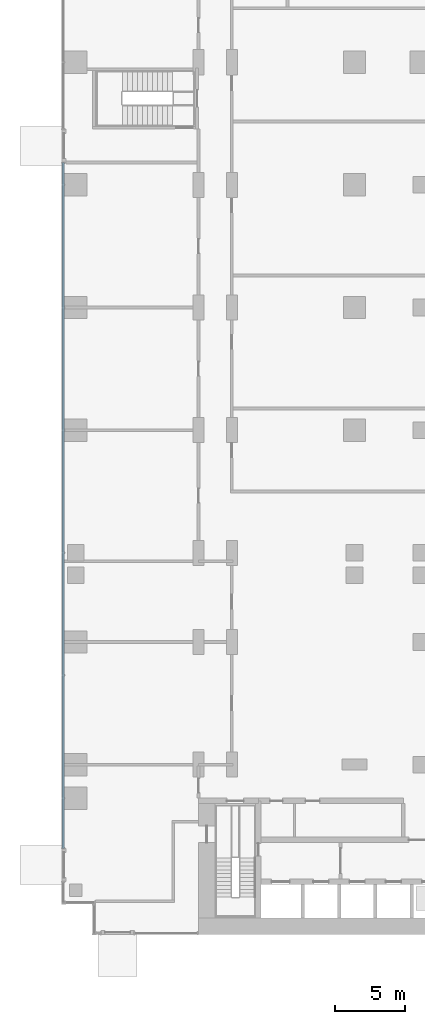
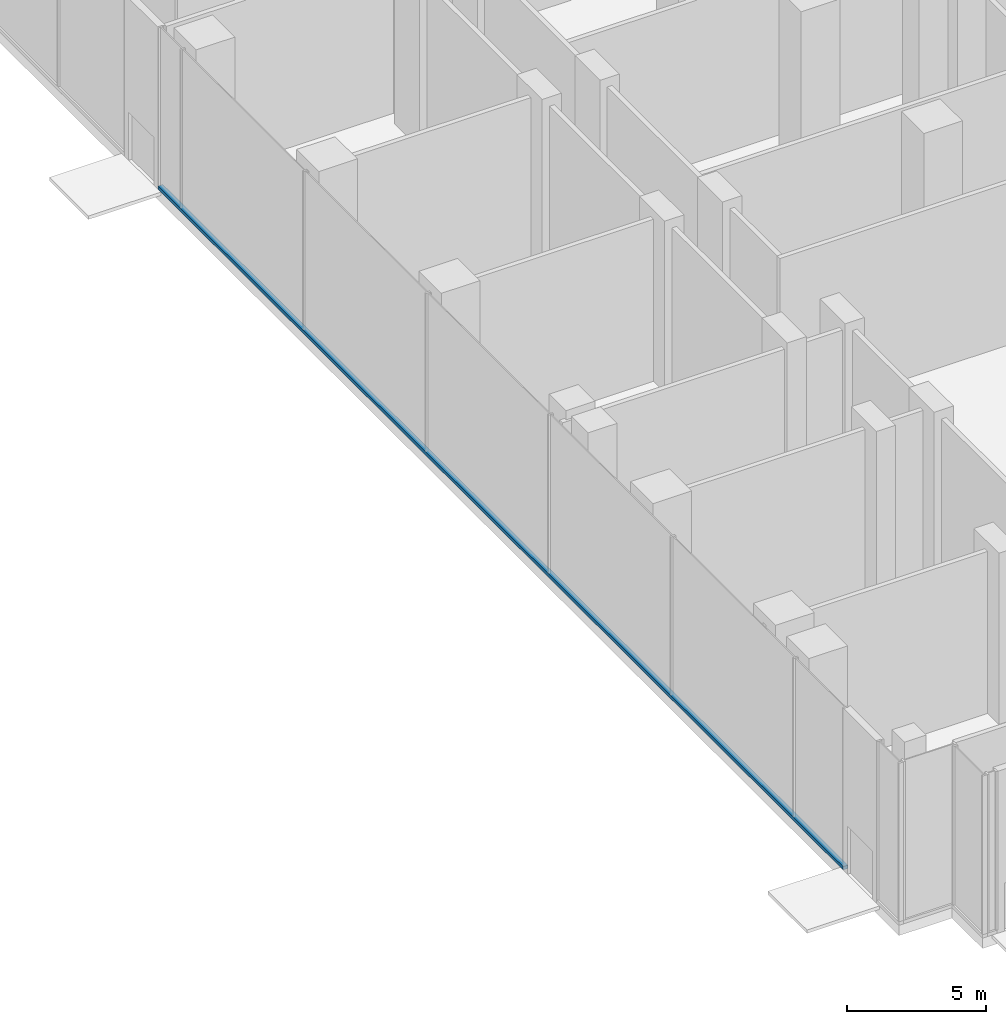
# One storey, part 10 of 41: 1 member, 1 element without a shape of its own.
"""IFC4 building model written with IfcOpenShell, lengths in metres."""

import ifcopenshell
import ifcopenshell.guid

model = None  # the IFC model being written
_history = None  # IfcOwnerHistory: only IFC2X3 demands one
_inside = {}  # id of a spatial element -> (the spatial element, [elements in it])
_under = {}  # id of a project, library or spatial element -> (it, [spatial elements below it])
_declared = {}  # id of a project -> (the project, [libraries it declares])
_typed = {}  # id of a type object -> (the type object, [elements of that type])
_made_of = {}  # id of a material, layer set ... -> (it, [elements and type objects made of it])


def new_model(schema):
    """Start an empty IFC model of exactly this schema.

    Asked for "IFC4X3", IfcOpenShell would pick the latest addendum, in which some entities
    have other attributes; the version numbers below select the first issue.
    IFC2X3 requires an IfcOwnerHistory on every rooted entity: one is made here for all.
    """
    global model, _history
    if schema == "IFC4X3":
        model = ifcopenshell.file(schema_version=(4, 3, 0, 0))
    else:
        model = ifcopenshell.file(schema=schema)
    _inside.clear()
    _under.clear()
    _declared.clear()
    _typed.clear()
    _made_of.clear()
    _history = None
    if model.schema == "IFC2X3":
        org = make("IfcOrganization", Name="unknown")
        user = make(
            "IfcPersonAndOrganization",
            ThePerson=make("IfcPerson", FamilyName="unknown"),
            TheOrganization=org,
        )
        app = make(
            "IfcApplication",
            ApplicationDeveloper=org,
            Version="unknown",
            ApplicationFullName="unknown",
            ApplicationIdentifier="unknown",
        )
        _history = make(
            "IfcOwnerHistory",
            OwningUser=user,
            OwningApplication=app,
            ChangeAction="ADDED",
            CreationDate=0,
        )
    return model


def make(cls, **values):
    """One entity of the class cls with the attributes given. An attribute that is None is left unset."""
    return model.create_entity(
        cls, **{name: value for name, value in values.items() if value is not None}
    )


def rooted(cls, **values):
    """An entity with a GlobalId (a new one), such as an element, a storey or a relation."""
    return make(cls, GlobalId=ifcopenshell.guid.new(), OwnerHistory=_history, **values)


def si_unit(unit_type, name, prefix=None):
    """IfcSIUnit, for example si_unit("LENGTHUNIT", "METRE", prefix="MILLI")."""
    return make("IfcSIUnit", UnitType=unit_type, Prefix=prefix, Name=name)


def assignment(units):
    """IfcUnitAssignment: the units of a project."""
    return None if units is None else make("IfcUnitAssignment", Units=units)


def point(xyz):
    """IfcCartesianPoint."""
    return None if xyz is None else make("IfcCartesianPoint", Coordinates=xyz)


def direction(xyz):
    """IfcDirection."""
    return None if xyz is None else make("IfcDirection", DirectionRatios=xyz)


def frame(location, z_axis=None, x_axis=None):
    """IfcAxis2Placement3D, a coordinate frame: its origin and axes. An axis left out is left unset."""
    return make(
        "IfcAxis2Placement3D",
        Location=point(location),
        Axis=direction(z_axis),
        RefDirection=direction(x_axis),
    )


def frame_2d(location, x_axis=None):
    """IfcAxis2Placement2D, a coordinate frame in the plane: its origin and x axis."""
    return make(
        "IfcAxis2Placement2D", Location=point(location), RefDirection=direction(x_axis)
    )


def origin():
    """The frame at (0, 0, 0) with its axes left unset."""
    return frame((0.0, 0.0, 0.0))


def origin_2d():
    """The frame at (0, 0) in the plane with its x axis left unset."""
    return frame_2d((0.0, 0.0))


def place(relative_to, where):
    """IfcLocalPlacement: puts the frame where relative to a parent placement (None: the world)."""
    return make(
        "IfcLocalPlacement", PlacementRelTo=relative_to, RelativePlacement=where
    )


def context(
    kind, dimensions, precision=None, world=None, true_north=None, identifier=None
):
    """IfcGeometricRepresentationContext, for example the 3D "Model" context."""
    return make(
        "IfcGeometricRepresentationContext",
        ContextIdentifier=identifier,
        ContextType=kind,
        CoordinateSpaceDimension=dimensions,
        Precision=precision,
        WorldCoordinateSystem=world,
        TrueNorth=true_north,
    )


def subcontext(parent, identifier, kind, view, scale=None):
    """IfcGeometricRepresentationSubContext, for example "Body" below "Model"."""
    return make(
        "IfcGeometricRepresentationSubContext",
        ContextIdentifier=identifier,
        ContextType=kind,
        ParentContext=parent,
        TargetScale=scale,
        TargetView=view,
    )


def project(units=None, contexts=None):
    """IfcProject with its units and contexts."""
    return rooted(
        "IfcProject",
        Name="project",
        RepresentationContexts=contexts,
        UnitsInContext=assignment(units),
    )


def spatial(cls, under=None, at=None, **own):
    """A site, building, storey or space (cls), placed at a placement, below another one or the project."""
    s = rooted(cls, ObjectPlacement=at, **own)
    if under is not None:
        _under.setdefault(under.id(), (under, []))[1].append(s)
    return s


def profile(cls, at=None, kind="AREA", **sizes):
    """A parametric profile (cls). Its sizes go by their IFC names, for example OverallWidth=200.0."""
    return make(cls, ProfileType=kind, Position=at, **sizes)


def rectangle(**sizes):
    """IfcRectangleProfileDef."""
    return profile("IfcRectangleProfileDef", **sizes)


def extrude(swept, where, along, depth):
    """IfcExtrudedAreaSolid: the profile swept, set in the frame where, extruded along a direction by depth."""
    return make(
        "IfcExtrudedAreaSolid",
        SweptArea=swept,
        Position=where,
        ExtrudedDirection=direction(along),
        Depth=depth,
    )


def shape(context_of_items, identifier, shape_type, items):
    """IfcShapeRepresentation: the items that make up one representation, for example the "Body"."""
    return make(
        "IfcShapeRepresentation",
        ContextOfItems=context_of_items,
        RepresentationIdentifier=identifier,
        RepresentationType=shape_type,
        Items=items,
    )


def material(Name=None, Category=None):
    """IfcMaterial."""
    return make("IfcMaterial", Name=Name, Category=Category)


def material_profile(
    of_material, cross_section, Name=None, Category=None, Priority=None
):
    """IfcMaterialProfile: a cross section and its material."""
    return make(
        "IfcMaterialProfile",
        Name=Name,
        Material=of_material,
        Profile=cross_section,
        Priority=Priority,
        Category=Category,
    )


def profile_set(profiles, Name=None, composite=None):
    """IfcMaterialProfileSet."""
    return make(
        "IfcMaterialProfileSet",
        Name=Name,
        MaterialProfiles=profiles,
        CompositeProfile=composite,
    )


def made_of(thing, what):
    """Note that an element or type object is made of a material, layer set ...; save() writes the relation."""
    if what is not None:
        _made_of.setdefault(what.id(), (what, []))[1].append(thing)
    return thing


def type_object(cls, material=None, **own):
    """A type object (cls), such as IfcWallType, which elements share."""
    return made_of(rooted(cls, **own), material)


def element(
    cls,
    number,
    at=None,
    inside=None,
    cuts=None,
    type_object=None,
    material=None,
    context=None,
    identifier="Body",
    shape_type=None,
    held_by="IfcProductDefinitionShape",
    body=None,
    shapes=None,
    **own,
):
    """One element of the class cls, such as IfcWall. Its Tag is "e" and its number.

    at: its placement. inside: the storey or other place that contains it. cuts: it is an
    opening in that element (IfcRelVoidsElement). A single representation is given by context,
    identifier, shape_type and body (its items); several are given by shapes. held_by: the class
    of the entity that holds the representations. save() writes the other relations.
    """
    e = rooted(cls, Tag="e%d" % number, ObjectPlacement=at, **own)
    if body is not None:
        shapes = [shape(context, identifier, shape_type, body)]
    if shapes is not None:
        e.Representation = make(held_by, Representations=shapes)
    if inside is not None:
        _inside.setdefault(inside.id(), (inside, []))[1].append(e)
    if cuts is not None:
        rooted(
            "IfcRelVoidsElement", RelatingBuildingElement=cuts, RelatedOpeningElement=e
        )
    if type_object is not None:
        _typed.setdefault(type_object.id(), (type_object, []))[1].append(e)
    return made_of(e, material)


def aggregate(whole, parts):
    """IfcRelAggregates: a whole, such as a stair, and the parts it consists of."""
    return rooted("IfcRelAggregates", RelatingObject=whole, RelatedObjects=parts)


def save(model, path):
    """Write the relations noted so far, then the file.

    IfcRelAggregates (storeys below a building ...), IfcRelContainedInSpatialStructure (elements
    in a storey), IfcRelDefinesByType, IfcRelAssociatesMaterial and IfcRelDeclares: one each for
    every whole, place, type object, material and project.
    """
    for whole, parts in _under.values():
        aggregate(whole, parts)
    for where, things in _inside.values():
        rooted(
            "IfcRelContainedInSpatialStructure",
            RelatedElements=things,
            RelatingStructure=where,
        )
    for kind, things in _typed.values():
        rooted("IfcRelDefinesByType", RelatedObjects=things, RelatingType=kind)
    for what, things in _made_of.values():
        rooted("IfcRelAssociatesMaterial", RelatedObjects=things, RelatingMaterial=what)
    for by, libraries in _declared.values():
        rooted("IfcRelDeclares", RelatingContext=by, RelatedDefinitions=libraries)
    model.write(path)


model = new_model("IFC4")

# Units and contexts
model_context = context("Model", 3, precision=1e-05, world=origin(), true_north=direction((0.0, 1.0)))
body_context = subcontext(model_context, "Body", "Model", "MODEL_VIEW")
ifc_project = project(units=[si_unit("LENGTHUNIT", "METRE"), si_unit("AREAUNIT", "SQUARE_METRE"), si_unit("VOLUMEUNIT", "CUBIC_METRE"), si_unit("PLANEANGLEUNIT", "RADIAN"), si_unit("MASSUNIT", "GRAM", prefix="KILO")], contexts=[model_context])

# Site, building, storey
site_placement = place(None, origin())
site = spatial("IfcSite", under=ifc_project, at=site_placement, CompositionType="ELEMENT")
building_placement = place(site_placement, origin())
building = spatial("IfcBuilding", under=site, at=building_placement, Name="Kemantara Hotel Tower", CompositionType="ELEMENT")
storey_placement = place(building_placement, origin())
storey = spatial("IfcBuildingStorey", under=building, at=storey_placement, Name="L00", CompositionType="ELEMENT", Elevation=0.0)

# Curtain wall, member
ifc_material_1 = material(Name="Laminated tinted insulated glass 44 mm", Category="glass")
curtain_wall_type = type_object("IfcCurtainWallType", Name="PODIUM GLASS CURTAIN WALL", PredefinedType="USERDEFINED", material=ifc_material_1)
curtain_wall_placement = place(storey_placement, origin())
curtain_wall = element("IfcCurtainWall", 1, at=curtain_wall_placement, inside=storey, type_object=curtain_wall_type, Name="CW1 L00 POD-R16-2", ObjectType="PODIUM GLASS CURTAIN WALL", PredefinedType="USERDEFINED")
ifc_material_2 = material(Name="Aluminium 6063-T6 bronze anodised", Category="aluminium")
ifc_material_profile = material_profile(ifc_material_2, rectangle(XDim=0.199951171875, YDim=0.14990234375, at=origin_2d()), Name="PODIUM GLASS CURTAIN WALL TRANSOM")
ifc_profile_set = profile_set([ifc_material_profile], Name="Aluminium 6063-T6 bronze anodised")
member_type = type_object("IfcMemberType", Name="PODIUM GLASS CURTAIN WALL TRANSOM", PredefinedType="USERDEFINED", material=ifc_profile_set)
member_placement = place(storey_placement, frame((0.10009765625, 55.39990234375, 0.074951171875), z_axis=(0.0, -1.0, 0.0), x_axis=(1.0, 0.0, 0.0)))
member = element("IfcMember", 2, at=member_placement, type_object=member_type, Name="CW1 sill transom POD-R16-2", ObjectType="TRANSOM", PredefinedType="USERDEFINED", context=body_context, shape_type="SweptSolid", body=[
    extrude(rectangle(XDim=0.199951171875, YDim=0.14990234375, at=origin_2d()), origin(), (0.0, 0.0, 1.0), 49.199951171875),
])
aggregate(curtain_wall, [member])

save(model, "model.ifc")
